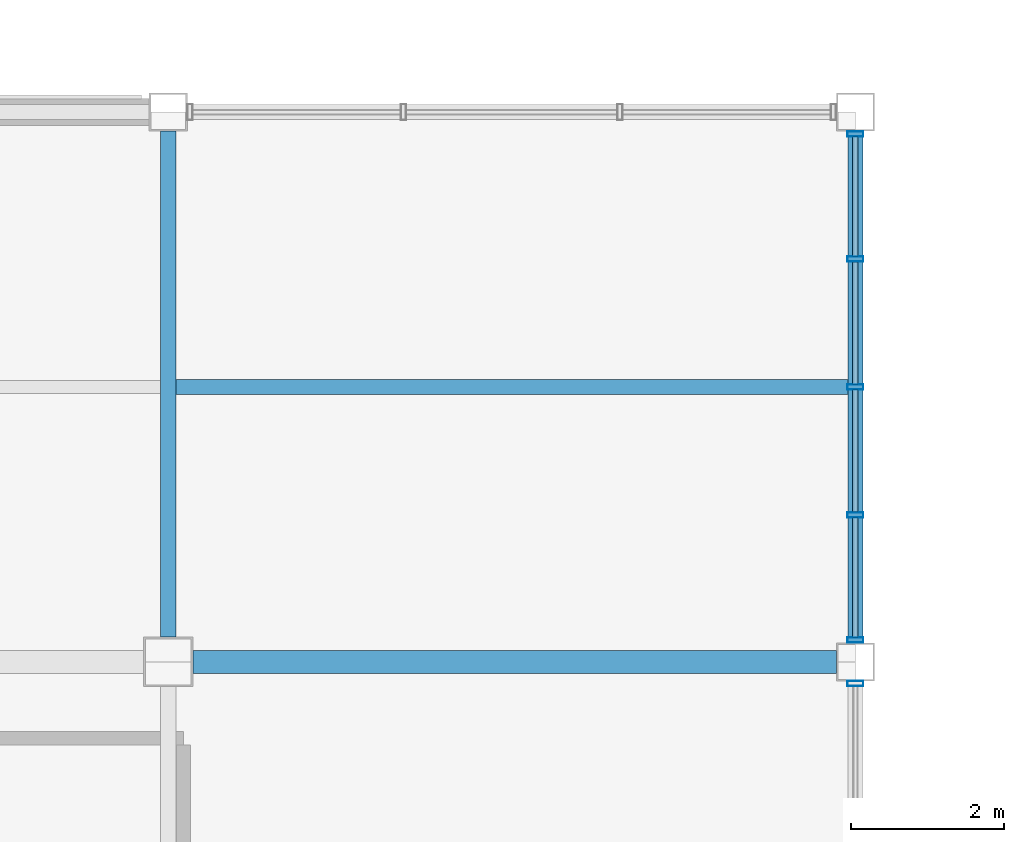
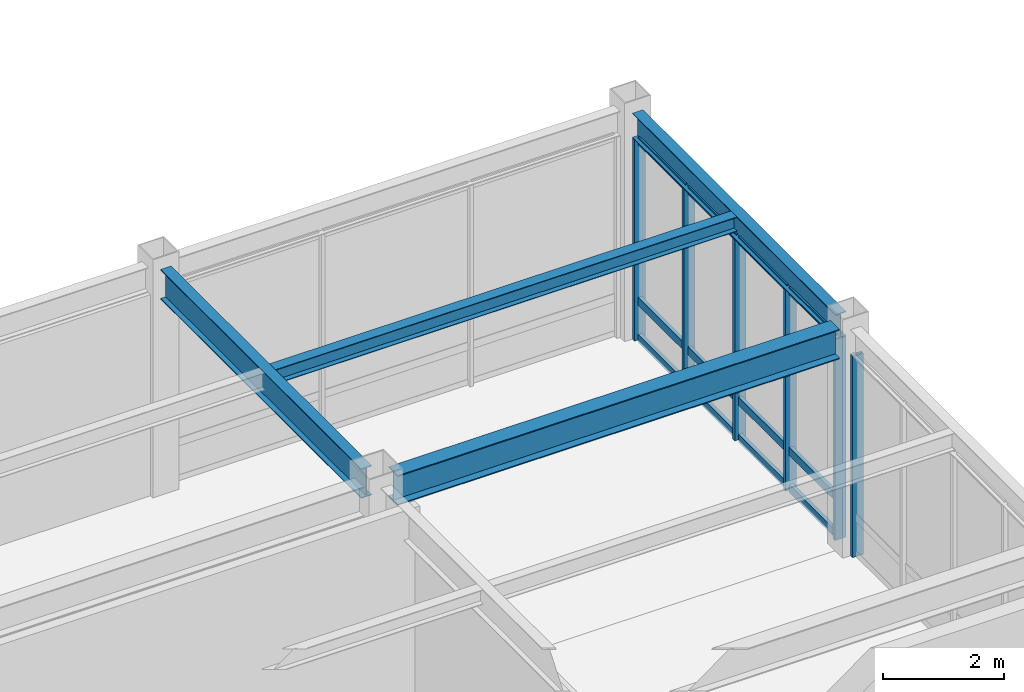
# One storey, part 67 of 112: 18 members, 4 beams, 2 elements without a shape of their own.
"""IFC4 building model written with IfcOpenShell, lengths in metres."""

from ifc_helpers import new_model, si_unit, direction, frame, origin, origin_2d, place, context, subcontext, project, spatial, hollow_rectangle, i_section, extrude, material, material_profile, profile_set, type_object, element, aggregate, save


model = new_model("IFC4")

# Units and contexts
model_context = context("Model", 3, precision=1e-05, world=origin(), true_north=direction((0.0, 1.0)))
body_context = subcontext(model_context, "Body", "Model", "MODEL_VIEW")
ifc_project = project(units=[si_unit("LENGTHUNIT", "METRE"), si_unit("AREAUNIT", "SQUARE_METRE"), si_unit("VOLUMEUNIT", "CUBIC_METRE"), si_unit("PLANEANGLEUNIT", "RADIAN"), si_unit("MASSUNIT", "GRAM", prefix="KILO")], contexts=[model_context])

# Site, building, storey
site_placement = place(None, origin())
site = spatial("IfcSite", under=ifc_project, at=site_placement, CompositionType="ELEMENT")
building_placement = place(site_placement, origin())
building = spatial("IfcBuilding", under=site, at=building_placement, Name="Kazanami Central Library", CompositionType="ELEMENT")
storey_placement = place(building_placement, origin())
storey = spatial("IfcBuildingStorey", under=building, at=storey_placement, Name="L01", CompositionType="ELEMENT", Elevation=0.0)

# Beams
ifc_material_1 = material(Name="Steel SN400B (235 MPa)", Category="steel")
ifc_material_profile_1 = material_profile(ifc_material_1, i_section(OverallWidth=0.199951171875, OverallDepth=0.2939453125, WebThickness=0.008056640625, FlangeThickness=0.011962890625, at=origin_2d()), Name="H-294x200x8x12")
ifc_profile_set_1 = profile_set([ifc_material_profile_1], Name="Steel SN400B (235 MPa)")
beam_type_1 = type_object("IfcBeamType", Name="BM-B-S5", PredefinedType="JOIST", material=ifc_profile_set_1)
beam_1_placement = place(storey_placement, frame((99.097900390625, 90.0, 4.407958984375), z_axis=(1.0, 0.0, 0.0), x_axis=(0.0, 1.0, 0.0)))
element("IfcBeam", 1, at=beam_1_placement, inside=storey, type_object=beam_type_1, Name="Composite Secondary Joist B-S5 L01 Bay 12/N.1", PredefinedType="JOIST", context=body_context, shape_type="SweptSolid", body=[
    extrude(i_section(OverallWidth=0.199951171875, OverallDepth=0.2939453125, WebThickness=0.008056640625, FlangeThickness=0.011962890625, at=origin_2d()), origin(), (0.0, 0.0, 1.0), 8.80419921875),
])
ifc_material_2 = material(Name="Steel SN490B (325 MPa)", Category="steel")
ifc_material_profile_2 = material_profile(ifc_material_2, i_section(OverallWidth=0.300048828125, OverallDepth=0.60009765625, WebThickness=0.011962890625, FlangeThickness=0.02001953125, at=origin_2d()), Name="H-600x300x12x20")
ifc_profile_set_2 = profile_set([ifc_material_profile_2], Name="Steel SN490B (325 MPa)")
beam_type_2 = type_object("IfcBeamType", Name="BM-G-X1", PredefinedType="BEAM", material=ifc_profile_set_2)
beam_2_placement = place(storey_placement, frame((99.322998046875, 86.39990234375, 4.2548828125), z_axis=(1.0, 0.0, 0.0), x_axis=(0.0, 1.0, 0.0)))
element("IfcBeam", 2, at=beam_2_placement, inside=storey, type_object=beam_type_2, Name="Girder G-X1 L01 N/12-13", PredefinedType="BEAM", context=body_context, shape_type="SweptSolid", body=[
    extrude(i_section(OverallWidth=0.300048828125, OverallDepth=0.60009765625, WebThickness=0.011962890625, FlangeThickness=0.02001953125, at=origin_2d()), origin(), (0.0, 0.0, 1.0), 8.428955078125),
])
ifc_material_profile_3 = material_profile(ifc_material_2, i_section(OverallWidth=0.199951171875, OverallDepth=0.60009765625, WebThickness=0.010986328125, FlangeThickness=0.01708984375, at=origin_2d()), Name="H-600x200x11x17")
ifc_profile_set_3 = profile_set([ifc_material_profile_3], Name="Steel SN490B (325 MPa)")
beam_type_3 = type_object("IfcBeamType", Name="BM-G-Y1", PredefinedType="BEAM", material=ifc_profile_set_3)
beam_3_placement = place(storey_placement, frame((99.0, 86.722900390625, 4.2548828125), z_axis=(0.0, 1.0, 0.0), x_axis=(-1.0, 0.0, 0.0)))
element("IfcBeam", 3, at=beam_3_placement, inside=storey, type_object=beam_type_3, Name="Girder G-Y1 L01 12/N-O", PredefinedType="BEAM", context=body_context, shape_type="SweptSolid", body=[
    extrude(i_section(OverallWidth=0.199951171875, OverallDepth=0.60009765625, WebThickness=0.010986328125, FlangeThickness=0.01708984375, at=origin_2d()), origin(), (0.0, 0.0, 1.0), 6.629150390625),
])
ifc_material_profile_4 = material_profile(ifc_material_2, i_section(OverallWidth=0.199951171875, OverallDepth=0.5, WebThickness=0.010009765625, FlangeThickness=0.01611328125, at=origin_2d()), Name="H-500x200x10x16")
ifc_profile_set_4 = profile_set([ifc_material_profile_4], Name="Steel SN490B (325 MPa)")
beam_type_4 = type_object("IfcBeamType", Name="BM-SP-1", PredefinedType="SPANDREL", material=ifc_profile_set_4)
beam_4_placement = place(storey_placement, frame((108.0, 86.64794921875, 4.304931640625), z_axis=(0.0, 1.0, 0.0), x_axis=(-1.0, 0.0, 0.0)))
element("IfcBeam", 4, at=beam_4_placement, inside=storey, type_object=beam_type_4, Name="Girder SP-1 L01 13/N-O", PredefinedType="SPANDREL", context=body_context, shape_type="SweptSolid", body=[
    extrude(i_section(OverallWidth=0.199951171875, OverallDepth=0.5, WebThickness=0.010009765625, FlangeThickness=0.01611328125, at=origin_2d()), origin(), (0.0, 0.0, 1.0), 6.7041015625),
])

# Curtain wall, member
ifc_material_3 = material(Name="Acid-Etched Low-E Laminated Glass", Category="glass")
curtain_wall_type = type_object("IfcCurtainWallType", Name="CW-6700x4055-M180", PredefinedType="USERDEFINED", material=ifc_material_3)
curtain_wall_1_placement = place(storey_placement, origin())
curtain_wall_1 = element("IfcCurtainWall", 5, at=curtain_wall_1_placement, inside=storey, type_object=curtain_wall_type, Name="Covered Link Bridge Curtain Wall CW-09 L01 E-13-11", ObjectType="UNITISED CURTAIN WALL", PredefinedType="USERDEFINED")
ifc_material_4 = material(Name="Anodised Aluminium A6063-T5", Category="aluminium")
ifc_material_profile_5 = material_profile(ifc_material_4, hollow_rectangle(XDim=0.070068359375, YDim=0.2099609375, WallThickness=0.0048828125, at=origin_2d()), Name="ALU-MULL-70x210x5")
ifc_profile_set_5 = profile_set([ifc_material_profile_5], Name="Anodised Aluminium A6063-T5")
member_type_1 = type_object("IfcMemberType", Name="MEM-CW-M1", PredefinedType="MULLION", material=ifc_profile_set_5)
member_1_placement = place(storey_placement, frame((108.0, 86.114990234375, 0.0), z_axis=(0.0, 0.0, 1.0), x_axis=(0.0, -1.0, 0.0)))
member_1 = element("IfcMember", 6, at=member_1_placement, type_object=member_type_1, Name="CW-09 mullion 1", PredefinedType="MULLION", context=body_context, shape_type="SweptSolid", body=[
    extrude(hollow_rectangle(XDim=0.070068359375, YDim=0.2099609375, WallThickness=0.0048828125, at=origin_2d()), origin(), (0.0, 0.0, 1.0), 4.054931640625),
])
aggregate(curtain_wall_1, [member_1])

# Curtain wall, members
curtain_wall_2_placement = place(storey_placement, origin())
curtain_wall_2 = element("IfcCurtainWall", 7, at=curtain_wall_2_placement, inside=storey, type_object=curtain_wall_type, Name="Covered Link Bridge Curtain Wall CW-09 L01 E-13-12", ObjectType="UNITISED CURTAIN WALL", PredefinedType="USERDEFINED")
member_2_placement = place(storey_placement, frame((108.0, 93.31494140625, 0.0), z_axis=(0.0, 0.0, 1.0), x_axis=(0.0, -1.0, 0.0)))
member_2 = element("IfcMember", 8, at=member_2_placement, type_object=member_type_1, Name="CW-09 mullion 1", PredefinedType="MULLION", context=body_context, shape_type="SweptSolid", body=[
    extrude(hollow_rectangle(XDim=0.070068359375, YDim=0.2099609375, WallThickness=0.0048828125, at=origin_2d()), origin(), (0.0, 0.0, 1.0), 4.054931640625),
])
member_3_placement = place(storey_placement, frame((108.0, 91.675048828125, 0.0), z_axis=(0.0, 0.0, 1.0), x_axis=(0.0, -1.0, 0.0)))
member_3 = element("IfcMember", 9, at=member_3_placement, type_object=member_type_1, Name="CW-09 mullion 2", PredefinedType="MULLION", context=body_context, shape_type="SweptSolid", body=[
    extrude(hollow_rectangle(XDim=0.070068359375, YDim=0.2099609375, WallThickness=0.0048828125, at=origin_2d()), origin(), (0.0, 0.0, 1.0), 4.054931640625),
])
member_4_placement = place(storey_placement, frame((108.0, 90.0, 0.0), z_axis=(0.0, 0.0, 1.0), x_axis=(0.0, -1.0, 0.0)))
member_4 = element("IfcMember", 10, at=member_4_placement, type_object=member_type_1, Name="CW-09 mullion 3", PredefinedType="MULLION", context=body_context, shape_type="SweptSolid", body=[
    extrude(hollow_rectangle(XDim=0.070068359375, YDim=0.2099609375, WallThickness=0.0048828125, at=origin_2d()), origin(), (0.0, 0.0, 1.0), 4.054931640625),
])
member_5_placement = place(storey_placement, frame((108.0, 88.324951171875, 0.0), z_axis=(0.0, 0.0, 1.0), x_axis=(0.0, -1.0, 0.0)))
member_5 = element("IfcMember", 11, at=member_5_placement, type_object=member_type_1, Name="CW-09 mullion 4", PredefinedType="MULLION", context=body_context, shape_type="SweptSolid", body=[
    extrude(hollow_rectangle(XDim=0.070068359375, YDim=0.2099609375, WallThickness=0.0048828125, at=origin_2d()), origin(), (0.0, 0.0, 1.0), 4.054931640625),
])
member_6_placement = place(storey_placement, frame((108.0, 86.68505859375, 0.0), z_axis=(0.0, 0.0, 1.0), x_axis=(0.0, -1.0, 0.0)))
member_6 = element("IfcMember", 12, at=member_6_placement, type_object=member_type_1, Name="CW-09 mullion 5", PredefinedType="MULLION", context=body_context, shape_type="SweptSolid", body=[
    extrude(hollow_rectangle(XDim=0.070068359375, YDim=0.2099609375, WallThickness=0.0048828125, at=origin_2d()), origin(), (0.0, 0.0, 1.0), 4.054931640625),
])
ifc_material_profile_6 = material_profile(ifc_material_4, hollow_rectangle(XDim=0.070068359375, YDim=0.159912109375, WallThickness=0.00390625, at=origin_2d()), Name="ALU-TRAN-70x160x4")
ifc_profile_set_6 = profile_set([ifc_material_profile_6], Name="Anodised Aluminium A6063-T5")
member_type_2 = type_object("IfcMemberType", Name="MEM-CW-T1", PredefinedType="USERDEFINED", material=ifc_profile_set_6)
member_7_placement = place(storey_placement, frame((108.0, 93.280029296875, 0.034912109375), z_axis=(0.0, -1.0, 0.0), x_axis=(1.0, 0.0, 0.0)))
member_7 = element("IfcMember", 13, at=member_7_placement, type_object=member_type_2, Name="CW-09 transom 1.1", ObjectType="TRANSOM", PredefinedType="USERDEFINED", context=body_context, shape_type="SweptSolid", body=[
    extrude(hollow_rectangle(XDim=0.070068359375, YDim=0.159912109375, WallThickness=0.00390625, at=origin_2d()), origin(), (0.0, 0.0, 1.0), 1.570068359375),
])
member_8_placement = place(storey_placement, frame((108.0, 93.280029296875, 0.780029296875), z_axis=(0.0, -1.0, 0.0), x_axis=(1.0, 0.0, 0.0)))
member_8 = element("IfcMember", 14, at=member_8_placement, type_object=member_type_2, Name="CW-09 transom 1.2", ObjectType="TRANSOM", PredefinedType="USERDEFINED", context=body_context, shape_type="SweptSolid", body=[
    extrude(hollow_rectangle(XDim=0.070068359375, YDim=0.159912109375, WallThickness=0.00390625, at=origin_2d()), origin(), (0.0, 0.0, 1.0), 1.570068359375),
])
member_9_placement = place(storey_placement, frame((108.0, 93.280029296875, 4.02001953125), z_axis=(0.0, -1.0, 0.0), x_axis=(1.0, 0.0, 0.0)))
member_9 = element("IfcMember", 15, at=member_9_placement, type_object=member_type_2, Name="CW-09 transom 1.3", ObjectType="TRANSOM", PredefinedType="USERDEFINED", context=body_context, shape_type="SweptSolid", body=[
    extrude(hollow_rectangle(XDim=0.070068359375, YDim=0.159912109375, WallThickness=0.00390625, at=origin_2d()), origin(), (0.0, 0.0, 1.0), 1.570068359375),
])
member_10_placement = place(storey_placement, frame((108.0, 91.639892578125, 0.034912109375), z_axis=(0.0, -1.0, 0.0), x_axis=(1.0, 0.0, 0.0)))
member_10 = element("IfcMember", 16, at=member_10_placement, type_object=member_type_2, Name="CW-09 transom 2.1", ObjectType="TRANSOM", PredefinedType="USERDEFINED", context=body_context, shape_type="SweptSolid", body=[
    extrude(hollow_rectangle(XDim=0.070068359375, YDim=0.159912109375, WallThickness=0.00390625, at=origin_2d()), origin(), (0.0, 0.0, 1.0), 1.60498046875),
])
member_11_placement = place(storey_placement, frame((108.0, 91.639892578125, 0.780029296875), z_axis=(0.0, -1.0, 0.0), x_axis=(1.0, 0.0, 0.0)))
member_11 = element("IfcMember", 17, at=member_11_placement, type_object=member_type_2, Name="CW-09 transom 2.2", ObjectType="TRANSOM", PredefinedType="USERDEFINED", context=body_context, shape_type="SweptSolid", body=[
    extrude(hollow_rectangle(XDim=0.070068359375, YDim=0.159912109375, WallThickness=0.00390625, at=origin_2d()), origin(), (0.0, 0.0, 1.0), 1.60498046875),
])
member_12_placement = place(storey_placement, frame((108.0, 91.639892578125, 4.02001953125), z_axis=(0.0, -1.0, 0.0), x_axis=(1.0, 0.0, 0.0)))
member_12 = element("IfcMember", 18, at=member_12_placement, type_object=member_type_2, Name="CW-09 transom 2.3", ObjectType="TRANSOM", PredefinedType="USERDEFINED", context=body_context, shape_type="SweptSolid", body=[
    extrude(hollow_rectangle(XDim=0.070068359375, YDim=0.159912109375, WallThickness=0.00390625, at=origin_2d()), origin(), (0.0, 0.0, 1.0), 1.60498046875),
])
member_13_placement = place(storey_placement, frame((108.0, 89.965087890625, 0.034912109375), z_axis=(0.0, -1.0, 0.0), x_axis=(1.0, 0.0, 0.0)))
member_13 = element("IfcMember", 19, at=member_13_placement, type_object=member_type_2, Name="CW-09 transom 3.1", ObjectType="TRANSOM", PredefinedType="USERDEFINED", context=body_context, shape_type="SweptSolid", body=[
    extrude(hollow_rectangle(XDim=0.070068359375, YDim=0.159912109375, WallThickness=0.00390625, at=origin_2d()), origin(), (0.0, 0.0, 1.0), 1.60498046875),
])
member_14_placement = place(storey_placement, frame((108.0, 89.965087890625, 0.780029296875), z_axis=(0.0, -1.0, 0.0), x_axis=(1.0, 0.0, 0.0)))
member_14 = element("IfcMember", 20, at=member_14_placement, type_object=member_type_2, Name="CW-09 transom 3.2", ObjectType="TRANSOM", PredefinedType="USERDEFINED", context=body_context, shape_type="SweptSolid", body=[
    extrude(hollow_rectangle(XDim=0.070068359375, YDim=0.159912109375, WallThickness=0.00390625, at=origin_2d()), origin(), (0.0, 0.0, 1.0), 1.60498046875),
])
member_15_placement = place(storey_placement, frame((108.0, 89.965087890625, 4.02001953125), z_axis=(0.0, -1.0, 0.0), x_axis=(1.0, 0.0, 0.0)))
member_15 = element("IfcMember", 21, at=member_15_placement, type_object=member_type_2, Name="CW-09 transom 3.3", ObjectType="TRANSOM", PredefinedType="USERDEFINED", context=body_context, shape_type="SweptSolid", body=[
    extrude(hollow_rectangle(XDim=0.070068359375, YDim=0.159912109375, WallThickness=0.00390625, at=origin_2d()), origin(), (0.0, 0.0, 1.0), 1.60498046875),
])
member_16_placement = place(storey_placement, frame((108.0, 88.2900390625, 0.034912109375), z_axis=(0.0, -1.0, 0.0), x_axis=(1.0, 0.0, 0.0)))
member_16 = element("IfcMember", 22, at=member_16_placement, type_object=member_type_2, Name="CW-09 transom 4.1", ObjectType="TRANSOM", PredefinedType="USERDEFINED", context=body_context, shape_type="SweptSolid", body=[
    extrude(hollow_rectangle(XDim=0.070068359375, YDim=0.159912109375, WallThickness=0.00390625, at=origin_2d()), origin(), (0.0, 0.0, 1.0), 1.570068359375),
])
member_17_placement = place(storey_placement, frame((108.0, 88.2900390625, 0.780029296875), z_axis=(0.0, -1.0, 0.0), x_axis=(1.0, 0.0, 0.0)))
member_17 = element("IfcMember", 23, at=member_17_placement, type_object=member_type_2, Name="CW-09 transom 4.2", ObjectType="TRANSOM", PredefinedType="USERDEFINED", context=body_context, shape_type="SweptSolid", body=[
    extrude(hollow_rectangle(XDim=0.070068359375, YDim=0.159912109375, WallThickness=0.00390625, at=origin_2d()), origin(), (0.0, 0.0, 1.0), 1.570068359375),
])
member_18_placement = place(storey_placement, frame((108.0, 88.2900390625, 4.02001953125), z_axis=(0.0, -1.0, 0.0), x_axis=(1.0, 0.0, 0.0)))
member_18 = element("IfcMember", 24, at=member_18_placement, type_object=member_type_2, Name="CW-09 transom 4.3", ObjectType="TRANSOM", PredefinedType="USERDEFINED", context=body_context, shape_type="SweptSolid", body=[
    extrude(hollow_rectangle(XDim=0.070068359375, YDim=0.159912109375, WallThickness=0.00390625, at=origin_2d()), origin(), (0.0, 0.0, 1.0), 1.570068359375),
])
aggregate(curtain_wall_2, [member_2, member_3, member_4, member_5, member_6, member_7, member_8, member_9, member_10, member_11, member_12, member_13, member_14, member_15, member_16, member_17, member_18])

save(model, "model.ifc")
